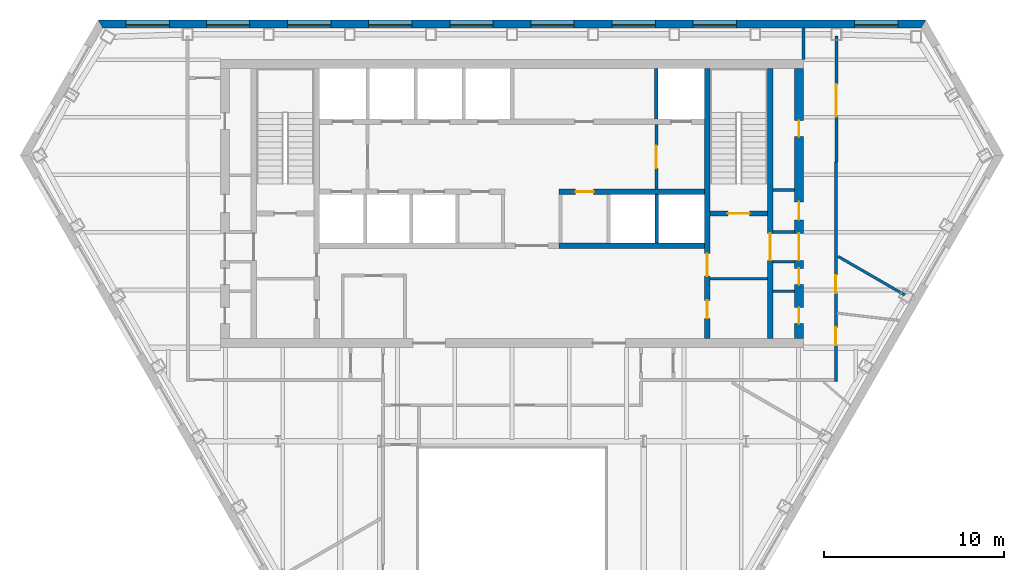
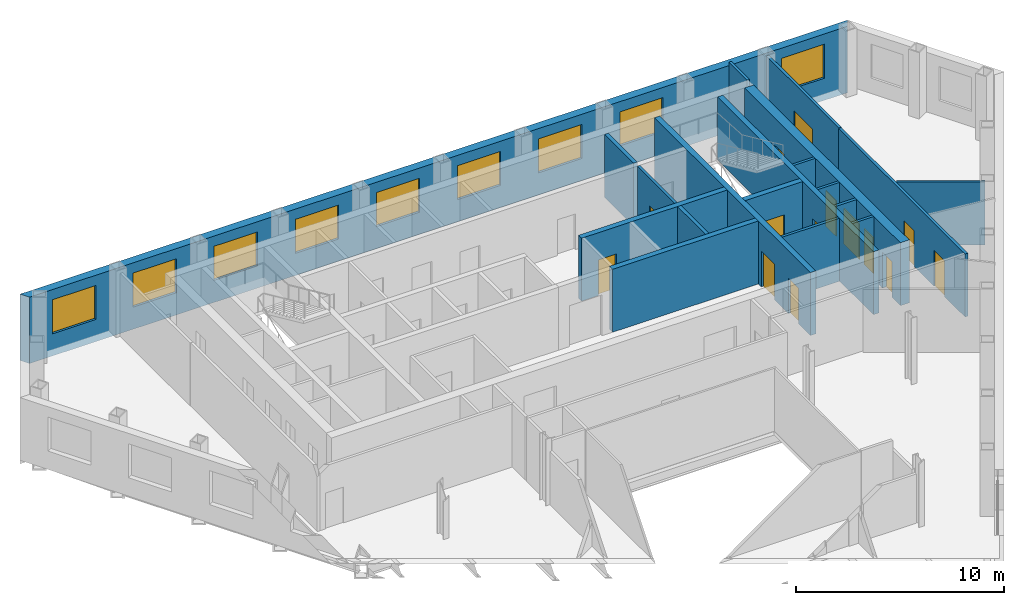
# One storey, part 7 of 11: 19 walls, 14 doors, 9 windows, 23 openings.
"""IFC4 building model written with IfcOpenShell, lengths in metres."""

from ifc_helpers import new_model, si_unit, direction, frame, frame_2d, origin, place, context, subcontext, project, spatial, polyline, rectangle, outline, extrude, material, layer, layer_set, type_object, element, fill, save


model = new_model("IFC4")

# Units and contexts
model_context = context("Model", 3, precision=1e-05, world=origin(), true_north=direction((0.0, 1.0)))
body_context = subcontext(model_context, "Body", "Model", "MODEL_VIEW")
ifc_project = project(units=[si_unit("LENGTHUNIT", "METRE"), si_unit("AREAUNIT", "SQUARE_METRE"), si_unit("VOLUMEUNIT", "CUBIC_METRE"), si_unit("PLANEANGLEUNIT", "RADIAN"), si_unit("MASSUNIT", "GRAM", prefix="KILO")], contexts=[model_context])

# Site, building, storey
site_placement = place(None, origin())
site = spatial("IfcSite", under=ifc_project, at=site_placement, CompositionType="ELEMENT")
building_placement = place(site_placement, origin())
building = spatial("IfcBuilding", under=site, at=building_placement, Name="Njiva Tower", CompositionType="ELEMENT")
storey_placement = place(building_placement, frame((0.0, 0.0, 151.5)))
storey = spatial("IfcBuildingStorey", under=building, at=storey_placement, Name="L32", CompositionType="ELEMENT", Elevation=151.5)

# Walls
ifc_material_1 = material(Name="Blockwork", Category="masonry")
ifc_layer_1 = layer(ifc_material_1, 0.15)
ifc_layer_set_1 = layer_set([ifc_layer_1], Name="Blockwork")
wall_type_1 = type_object("IfcWallType", Name="WT1 Compartment partition 150", PredefinedType="PARTITIONING", material=ifc_layer_set_1)
wall_1_placement = place(storey_placement, frame((11.0, 5.825, 0.0), z_axis=(0.0, 0.0, 1.0), x_axis=(1.0, 0.0, 0.0)))
element("IfcWall", 1, at=wall_1_placement, inside=storey, type_object=wall_type_1, Name="Room wall B", PredefinedType="PARTITIONING", context=body_context, shape_type="SweptSolid", body=[
    extrude(rectangle(XDim=3.2, YDim=0.15, at=frame_2d((1.6, 0.0))), origin(), (0.0, 0.0, 1.0), 3.7),
])
wall_2_placement = place(storey_placement, frame((14.5, 10.7557, 0.0), z_axis=(0.0, 0.0, 1.0), x_axis=(1.0, 0.0, 0.0)))
element("IfcWall", 2, at=wall_2_placement, inside=storey, type_object=wall_type_1, Name="Partition strip E10", PredefinedType="PARTITIONING", context=body_context, shape_type="SweptSolid", body=[
    extrude(rectangle(XDim=1.2, YDim=0.15, at=frame_2d((0.6, 0.0))), origin(), (0.0, 0.0, 1.0), 3.7),
])

# Wall, openings, doors
ifc_material_2 = material(Name="Concrete C40/50", Category="concrete")
ifc_layer_2 = layer(ifc_material_2, 0.3)
ifc_layer_set_2 = layer_set([ifc_layer_2], Name="Concrete C40/50")
wall_type_2 = type_object("IfcWallType", Name="WT10 Stair enclosure wall 300", PredefinedType="SHEAR", material=ifc_layer_set_2)
wall_3_placement = place(storey_placement, frame((10.85, 2.5, 0.0), z_axis=(0.0, 0.0, 1.0), x_axis=(0.0, 1.0, 0.0)))
wall_3 = element("IfcWall", 3, at=wall_3_placement, inside=storey, type_object=wall_type_2, Name="Stair wall east inner", PredefinedType="SHEAR", context=body_context, shape_type="SweptSolid", body=[
    extrude(rectangle(XDim=15.0, YDim=0.3, at=frame_2d((7.5, 0.0))), origin(), (0.0, 0.0, 1.0), 3.7),
])
opening_1_placement = place(wall_3_placement, frame((3.475, 0.0, 0.0)))
opening_1 = element("IfcOpeningElement", 4, at=opening_1_placement, cuts=wall_3, Name="Opening S11-D918", PredefinedType="OPENING", context=body_context, shape_type="SweptSolid", body=[
    extrude(rectangle(XDim=1.25, YDim=2.1, at=frame_2d((0.625, 1.05))), frame((0.0, 0.16, 0.0), z_axis=(0.0, -1.0, 0.0), x_axis=(1.0, 0.0, 0.0)), (0.0, 0.0, 1.0), 0.32),
])
opening_2_placement = place(wall_3_placement, frame((1.125, 0.0, 0.0)))
opening_2 = element("IfcOpeningElement", 5, at=opening_2_placement, cuts=wall_3, Name="Opening S11-D919", PredefinedType="OPENING", context=body_context, shape_type="SweptSolid", body=[
    extrude(rectangle(XDim=1.0, YDim=2.1, at=frame_2d((0.5, 1.05))), frame((0.0, 0.16, 0.0), z_axis=(0.0, -1.0, 0.0), x_axis=(1.0, 0.0, 0.0)), (0.0, 0.0, 1.0), 0.32),
])
ifc_material_3 = material(Name="Steel door, painted", Category="steel")
door_type_1 = type_object("IfcDoorType", Name="D5 Steel door 1000x2100", OperationType="SINGLE_SWING_LEFT", PredefinedType="DOOR", material=ifc_material_3)
door_1_placement = place(opening_2_placement, origin())
door_1 = element("IfcDoor", 6, at=door_1_placement, inside=storey, type_object=door_type_1, Name="Quiet room door", OperationType="SINGLE_SWING_LEFT", OverallHeight=2.1, OverallWidth=1.0, PredefinedType="DOOR", context=body_context, shape_type="SweptSolid", body=[
    extrude(rectangle(XDim=1.0, YDim=2.1, at=frame_2d((0.5, 1.05))), frame((0.0, 0.025, 0.0), z_axis=(0.0, -1.0, 0.0), x_axis=(1.0, 0.0, 0.0)), (0.0, 0.0, 1.0), 0.05),
])
fill(opening_2, door_1)
ifc_material_4 = material(Name="Glazed steel fire door", Category="steel")
door_type_2 = type_object("IfcDoorType", Name="D8 Vestibule corridor door 1250x2100 glazed", OperationType="SINGLE_SWING_LEFT", PredefinedType="DOOR", material=ifc_material_4)
door_2_placement = place(opening_1_placement, origin())
door_2 = element("IfcDoor", 7, at=door_2_placement, inside=storey, type_object=door_type_2, Name="Stair vestibule corridor door", OperationType="SINGLE_SWING_RIGHT", OverallHeight=2.1, OverallWidth=1.25, PredefinedType="DOOR", context=body_context, shape_type="SweptSolid", body=[
    extrude(rectangle(XDim=1.25, YDim=2.1, at=frame_2d((0.625, 1.05))), frame((0.0, 0.025, 0.0), z_axis=(0.0, -1.0, 0.0), x_axis=(1.0, 0.0, 0.0)), (0.0, 0.0, 1.0), 0.05),
])
fill(opening_1, door_2)

# Wall, opening, door
wall_4_placement = place(storey_placement, frame((14.35, 2.5, 0.0), z_axis=(0.0, 0.0, 1.0), x_axis=(0.0, 1.0, 0.0)))
wall_4 = element("IfcWall", 8, at=wall_4_placement, inside=storey, type_object=wall_type_2, Name="Stair wall east outer", PredefinedType="SHEAR", context=body_context, shape_type="SweptSolid", body=[
    extrude(rectangle(XDim=15.0, YDim=0.3, at=frame_2d((7.5, 0.0))), origin(), (0.0, 0.0, 1.0), 3.7),
])
opening_3_placement = place(wall_4_placement, frame((4.35, 0.0, 0.0)))
opening_3 = element("IfcOpeningElement", 9, at=opening_3_placement, cuts=wall_4, Name="Opening S11-D926", PredefinedType="OPENING", context=body_context, shape_type="SweptSolid", body=[
    extrude(rectangle(XDim=1.5, YDim=2.1, at=frame_2d((0.75, 1.05))), frame((0.0, 0.16, 0.0), z_axis=(0.0, -1.0, 0.0), x_axis=(1.0, 0.0, 0.0)), (0.0, 0.0, 1.0), 0.32),
])
door_type_3 = type_object("IfcDoorType", Name="D10 Exit door double 1500x2100 glazed", OperationType="DOUBLE_DOOR_SINGLE_SWING", PredefinedType="DOOR", material=ifc_material_4)
door_3_placement = place(opening_3_placement, origin())
door_3 = element("IfcDoor", 10, at=door_3_placement, inside=storey, type_object=door_type_3, Name="Stair B passage door", OperationType="DOUBLE_DOOR_SINGLE_SWING", OverallHeight=2.1, OverallWidth=1.5, PredefinedType="DOOR", context=body_context, shape_type="SweptSolid", body=[
    extrude(rectangle(XDim=1.5, YDim=2.1, at=frame_2d((0.75, 1.05))), frame((0.0, 0.025, 0.0), z_axis=(0.0, -1.0, 0.0), x_axis=(1.0, 0.0, 0.0)), (0.0, 0.0, 1.0), 0.05),
])
fill(opening_3, door_3)

wall_5_placement = place(storey_placement, frame((11.0, 9.45, 0.0), z_axis=(0.0, 0.0, 1.0), x_axis=(1.0, 0.0, 0.0)))
wall_5 = element("IfcWall", 11, at=wall_5_placement, inside=storey, type_object=wall_type_2, Name="Stair B south wall", PredefinedType="SHEAR", context=body_context, shape_type="SweptSolid", body=[
    extrude(rectangle(XDim=3.2, YDim=0.3, at=frame_2d((1.6, 0.0))), origin(), (0.0, 0.0, 1.0), 3.7),
])
opening_4_placement = place(wall_5_placement, frame((1.0, 0.0, 0.0)))
opening_4 = element("IfcOpeningElement", 12, at=opening_4_placement, cuts=wall_5, Name="Opening S11-D917", PredefinedType="OPENING", context=body_context, shape_type="SweptSolid", body=[
    extrude(rectangle(XDim=1.2, YDim=2.1, at=frame_2d((0.6, 1.05))), frame((0.0, 0.16, 0.0), z_axis=(0.0, -1.0, 0.0), x_axis=(1.0, 0.0, 0.0)), (0.0, 0.0, 1.0), 0.32),
])
door_type_4 = type_object("IfcDoorType", Name="D7 Stair vestibule door 1200x2100 glazed", OperationType="SINGLE_SWING_LEFT", PredefinedType="DOOR", material=ifc_material_4)
door_4_placement = place(opening_4_placement, origin())
door_4 = element("IfcDoor", 13, at=door_4_placement, inside=storey, type_object=door_type_4, Name="Stair B door", OperationType="SINGLE_SWING_LEFT", OverallHeight=2.1, OverallWidth=1.2, PredefinedType="DOOR", context=body_context, shape_type="SweptSolid", body=[
    extrude(rectangle(XDim=1.2, YDim=2.1, at=frame_2d((0.6, 1.05))), frame((0.0, 0.025, 0.0), z_axis=(0.0, -1.0, 0.0), x_axis=(1.0, 0.0, 0.0)), (0.0, 0.0, 1.0), 0.05),
])
fill(opening_4, door_4)

# Wall, openings, doors
ifc_material_5 = material(Name="Concrete C60/75", Category="concrete")
ifc_layer_3 = layer(ifc_material_5, 0.5)
ifc_layer_set_3 = layer_set([ifc_layer_3], Name="Concrete C60/75")
wall_type_3 = type_object("IfcWallType", Name="WT13 Core wall 500", PredefinedType="SHEAR", material=ifc_layer_set_3)
wall_6_placement = place(storey_placement, frame((15.95, 2.5, 0.0), z_axis=(0.0, 0.0, 1.0), x_axis=(0.0, 1.0, 0.0)))
wall_6 = element("IfcWall", 14, at=wall_6_placement, inside=storey, type_object=wall_type_3, Name="Core wall east", PredefinedType="SHEAR", context=body_context, shape_type="SweptSolid", body=[
    extrude(rectangle(XDim=15.0, YDim=0.5, at=frame_2d((7.5, 0.0))), origin(), (0.0, 0.0, 1.0), 3.7),
])
opening_5_placement = place(wall_6_placement, frame((4.35, 0.0, 0.0)))
opening_5 = element("IfcOpeningElement", 15, at=opening_5_placement, cuts=wall_6, Name="Opening S11-D927", PredefinedType="OPENING", context=body_context, shape_type="SweptSolid", body=[
    extrude(rectangle(XDim=1.5, YDim=2.1, at=frame_2d((0.75, 1.05))), frame((0.0, 0.26, 0.0), z_axis=(0.0, -1.0, 0.0), x_axis=(1.0, 0.0, 0.0)), (0.0, 0.0, 1.0), 0.52),
])
opening_6_placement = place(wall_6_placement, frame((0.825, 0.0, 0.0)))
opening_6 = element("IfcOpeningElement", 16, at=opening_6_placement, cuts=wall_6, Name="Opening S11-D928", PredefinedType="OPENING", context=body_context, shape_type="SweptSolid", body=[
    extrude(rectangle(XDim=0.9, YDim=2.1, at=frame_2d((0.45, 1.05))), frame((0.0, 0.26, 0.0), z_axis=(0.0, -1.0, 0.0), x_axis=(1.0, 0.0, 0.0)), (0.0, 0.0, 1.0), 0.52),
])
opening_7_placement = place(wall_6_placement, frame((3.0, 0.0, 0.0)))
opening_7 = element("IfcOpeningElement", 17, at=opening_7_placement, cuts=wall_6, Name="Opening S11-D929", PredefinedType="OPENING", context=body_context, shape_type="SweptSolid", body=[
    extrude(rectangle(XDim=0.9, YDim=2.1, at=frame_2d((0.45, 1.05))), frame((0.0, 0.26, 0.0), z_axis=(0.0, -1.0, 0.0), x_axis=(1.0, 0.0, 0.0)), (0.0, 0.0, 1.0), 0.52),
])
opening_8_placement = place(wall_6_placement, frame((6.5904, 0.0, 0.0)))
opening_8 = element("IfcOpeningElement", 18, at=opening_8_placement, cuts=wall_6, Name="Opening S11-D930", PredefinedType="OPENING", context=body_context, shape_type="SweptSolid", body=[
    extrude(rectangle(XDim=1.0, YDim=2.1, at=frame_2d((0.5, 1.05))), frame((0.0, 0.26, 0.0), z_axis=(0.0, -1.0, 0.0), x_axis=(1.0, 0.0, 0.0)), (0.0, 0.0, 1.0), 0.52),
])
opening_9_placement = place(wall_6_placement, frame((11.2154, 0.0, 0.0)))
opening_9 = element("IfcOpeningElement", 19, at=opening_9_placement, cuts=wall_6, Name="Opening S11-D931", PredefinedType="OPENING", context=body_context, shape_type="SweptSolid", body=[
    extrude(rectangle(XDim=0.9, YDim=2.1, at=frame_2d((0.45, 1.05))), frame((0.0, 0.26, 0.0), z_axis=(0.0, -1.0, 0.0), x_axis=(1.0, 0.0, 0.0)), (0.0, 0.0, 1.0), 0.52),
])
door_5_placement = place(opening_5_placement, origin())
door_5 = element("IfcDoor", 20, at=door_5_placement, inside=storey, type_object=door_type_3, Name="Stair B corridor door", OperationType="DOUBLE_DOOR_SINGLE_SWING", OverallHeight=2.1, OverallWidth=1.5, PredefinedType="DOOR", context=body_context, shape_type="SweptSolid", body=[
    extrude(rectangle(XDim=1.5, YDim=2.1, at=frame_2d((0.75, 1.05))), frame((0.0, 0.025, 0.0), z_axis=(0.0, -1.0, 0.0), x_axis=(1.0, 0.0, 0.0)), (0.0, 0.0, 1.0), 0.05),
])
fill(opening_5, door_5)
door_type_5 = type_object("IfcDoorType", Name="D4 Riser door 900x2100", OperationType="SINGLE_SWING_LEFT", PredefinedType="DOOR", material=ifc_material_3)
door_6_placement = place(opening_7_placement, origin())
door_6 = element("IfcDoor", 21, at=door_6_placement, inside=storey, type_object=door_type_5, Name="Cable riser door", OperationType="SINGLE_SWING_LEFT", OverallHeight=2.1, OverallWidth=0.9, PredefinedType="DOOR", context=body_context, shape_type="SweptSolid", body=[
    extrude(rectangle(XDim=0.9, YDim=2.1, at=frame_2d((0.45, 1.05))), frame((0.0, 0.025, 0.0), z_axis=(0.0, -1.0, 0.0), x_axis=(1.0, 0.0, 0.0)), (0.0, 0.0, 1.0), 0.05),
])
fill(opening_7, door_6)
door_7_placement = place(opening_8_placement, origin())
door_7 = element("IfcDoor", 22, at=door_7_placement, inside=storey, type_object=door_type_1, Name="Telecoms room door", OperationType="SINGLE_SWING_LEFT", OverallHeight=2.1, OverallWidth=1.0, PredefinedType="DOOR", context=body_context, shape_type="SweptSolid", body=[
    extrude(rectangle(XDim=1.0, YDim=2.1, at=frame_2d((0.5, 1.05))), frame((0.0, 0.025, 0.0), z_axis=(0.0, -1.0, 0.0), x_axis=(1.0, 0.0, 0.0)), (0.0, 0.0, 1.0), 0.05),
])
fill(opening_8, door_7)
ifc_material_6 = material(Name="Steel fire door, painted", Category="steel")
door_type_6 = type_object("IfcDoorType", Name="D6 Fire-rated door 900x2100", OperationType="SINGLE_SWING_LEFT", PredefinedType="DOOR", material=ifc_material_6)
door_8_placement = place(opening_6_placement, origin())
door_8 = element("IfcDoor", 23, at=door_8_placement, inside=storey, type_object=door_type_6, Name="Cable store door", OperationType="SINGLE_SWING_LEFT", OverallHeight=2.1, OverallWidth=0.9, PredefinedType="DOOR", context=body_context, shape_type="SweptSolid", body=[
    extrude(rectangle(XDim=0.9, YDim=2.1, at=frame_2d((0.45, 1.05))), frame((0.0, 0.025, 0.0), z_axis=(0.0, -1.0, 0.0), x_axis=(1.0, 0.0, 0.0)), (0.0, 0.0, 1.0), 0.05),
])
fill(opening_6, door_8)
door_9_placement = place(opening_9_placement, origin())
door_9 = element("IfcDoor", 24, at=door_9_placement, inside=storey, type_object=door_type_6, Name="Cable store door", OperationType="SINGLE_SWING_RIGHT", OverallHeight=2.1, OverallWidth=0.9, PredefinedType="DOOR", context=body_context, shape_type="SweptSolid", body=[
    extrude(rectangle(XDim=0.9, YDim=2.1, at=frame_2d((0.45, 1.05))), frame((0.0, 0.025, 0.0), z_axis=(0.0, -1.0, 0.0), x_axis=(1.0, 0.0, 0.0)), (0.0, 0.0, 1.0), 0.05),
])
fill(opening_9, door_9)

# Wall, opening, door
ifc_layer_4 = layer(ifc_material_1, 0.15)
ifc_layer_set_4 = layer_set([ifc_layer_4], Name="Blockwork")
wall_type_4 = type_object("IfcWallType", Name="WT2 Lobby partition 150", PredefinedType="PARTITIONING", material=ifc_layer_set_4)
wall_7_placement = place(storey_placement, frame((8.025, 10.8, 0.0), z_axis=(0.0, 0.0, 1.0), x_axis=(0.0, 1.0, 0.0)))
wall_7 = element("IfcWall", 25, at=wall_7_placement, inside=storey, type_object=wall_type_4, Name="Firefighting lobby wall B", PredefinedType="PARTITIONING", context=body_context, shape_type="SweptSolid", body=[
    extrude(rectangle(XDim=3.6, YDim=0.15, at=frame_2d((1.8, 0.0))), origin(), (0.0, 0.0, 1.0), 3.7),
])
opening_10_placement = place(wall_7_placement, frame((1.175, 0.0, 0.0)))
opening_10 = element("IfcOpeningElement", 26, at=opening_10_placement, cuts=wall_7, Name="Opening S11-D916", PredefinedType="OPENING", context=body_context, shape_type="SweptSolid", body=[
    extrude(rectangle(XDim=1.25, YDim=2.1, at=frame_2d((0.625, 1.05))), frame((0.0, 0.085, 0.0), z_axis=(0.0, -1.0, 0.0), x_axis=(1.0, 0.0, 0.0)), (0.0, 0.0, 1.0), 0.17),
])
door_10_placement = place(opening_10_placement, origin())
door_10 = element("IfcDoor", 27, at=door_10_placement, inside=storey, type_object=door_type_2, Name="Stair vestibule corridor door", OperationType="SINGLE_SWING_LEFT", OverallHeight=2.1, OverallWidth=1.25, PredefinedType="DOOR", context=body_context, shape_type="SweptSolid", body=[
    extrude(rectangle(XDim=1.25, YDim=2.1, at=frame_2d((0.625, 1.05))), frame((0.0, 0.025, 0.0), z_axis=(0.0, -1.0, 0.0), x_axis=(1.0, 0.0, 0.0)), (0.0, 0.0, 1.0), 0.05),
])
fill(opening_10, door_10)

# Wall
ifc_material_7 = material(Name="Gypsum board on steel studs", Category="gypsum")
ifc_layer_5 = layer(ifc_material_7, 0.15)
ifc_layer_set_5 = layer_set([ifc_layer_5], Name="Gypsum board on steel studs")
wall_type_5 = type_object("IfcWallType", Name="WT21 Compartment wall 150", PredefinedType="PARTITIONING", material=ifc_layer_set_5)
wall_8_placement = place(storey_placement, frame((16.2, 18.0, 0.0), z_axis=(0.0, 0.0, 1.0), x_axis=(0.0, 1.0, 0.0)))
element("IfcWall", 28, at=wall_8_placement, inside=storey, type_object=wall_type_5, Name="Partition S11-P023", PredefinedType="PARTITIONING", context=body_context, shape_type="SweptSolid", body=[
    extrude(rectangle(XDim=1.75, YDim=0.15, at=frame_2d((0.875, 0.0))), origin(), (0.0, 0.0, 1.0), 3.7),
])

# Wall, openings, doors
wall_9_placement = place(storey_placement, frame((18.0, 0.125, 0.0), z_axis=(0.0, 0.0, 1.0), x_axis=(0.0, 1.0, 0.0)))
wall_9 = element("IfcWall", 29, at=wall_9_placement, inside=storey, type_object=wall_type_5, Name="Partition S11-P025", PredefinedType="PARTITIONING", context=body_context, shape_type="SweptSolid", body=[
    extrude(rectangle(XDim=12.179, YDim=0.15, at=frame_2d((6.0895, 0.0))), origin(), (0.0, 0.0, 1.0), 3.7),
])
opening_11_placement = place(wall_9_placement, frame((1.992, 0.0, 0.0)))
opening_11 = element("IfcOpeningElement", 30, at=opening_11_placement, cuts=wall_9, Name="Opening S11-D012", PredefinedType="OPENING", context=body_context, shape_type="SweptSolid", body=[
    extrude(rectangle(XDim=1.0, YDim=2.1, at=frame_2d((0.5, 1.05))), frame((0.0, 0.085, 0.0), z_axis=(0.0, -1.0, 0.0), x_axis=(1.0, 0.0, 0.0)), (0.0, 0.0, 1.0), 0.17),
])
opening_12_placement = place(wall_9_placement, frame((4.902, 0.0, 0.0)))
opening_12 = element("IfcOpeningElement", 31, at=opening_12_placement, cuts=wall_9, Name="Opening S11-D013", PredefinedType="OPENING", context=body_context, shape_type="SweptSolid", body=[
    extrude(rectangle(XDim=1.0, YDim=2.1, at=frame_2d((0.5, 1.05))), frame((0.0, 0.085, 0.0), z_axis=(0.0, -1.0, 0.0), x_axis=(1.0, 0.0, 0.0)), (0.0, 0.0, 1.0), 0.17),
])
ifc_material_8 = material(Name="Steel fire door set", Category="steel")
door_type_7 = type_object("IfcDoorType", Name="D37 Fire door 1000x2100", OperationType="SINGLE_SWING_LEFT", PredefinedType="DOOR", material=ifc_material_8)
door_11_placement = place(opening_11_placement, origin())
door_11 = element("IfcDoor", 32, at=door_11_placement, inside=storey, type_object=door_type_7, Name="Door S11-D012", OperationType="SINGLE_SWING_LEFT", OverallHeight=2.1, OverallWidth=1.0, PredefinedType="DOOR", context=body_context, shape_type="SweptSolid", body=[
    extrude(rectangle(XDim=1.0, YDim=2.1, at=frame_2d((0.5, 1.05))), frame((0.0, 0.025, 0.0), z_axis=(0.0, -1.0, 0.0), x_axis=(1.0, 0.0, 0.0)), (0.0, 0.0, 1.0), 0.05),
])
fill(opening_11, door_11)
door_12_placement = place(opening_12_placement, origin())
door_12 = element("IfcDoor", 33, at=door_12_placement, inside=storey, type_object=door_type_7, Name="Door S11-D013", OperationType="SINGLE_SWING_LEFT", OverallHeight=2.1, OverallWidth=1.0, PredefinedType="DOOR", context=body_context, shape_type="SweptSolid", body=[
    extrude(rectangle(XDim=1.0, YDim=2.1, at=frame_2d((0.5, 1.05))), frame((0.0, 0.025, 0.0), z_axis=(0.0, -1.0, 0.0), x_axis=(1.0, 0.0, 0.0)), (0.0, 0.0, 1.0), 0.05),
])
fill(opening_12, door_12)

# Wall, opening, door
wall_10_placement = place(storey_placement, frame((18.027, 12.321, 0.0), z_axis=(0.0, 0.0, 1.0), x_axis=(0.0, 1.0, 0.0)))
wall_10 = element("IfcWall", 34, at=wall_10_placement, inside=storey, type_object=wall_type_5, Name="Partition S11-P026", PredefinedType="PARTITIONING", context=body_context, shape_type="SweptSolid", body=[
    extrude(rectangle(XDim=6.979, YDim=0.15, at=frame_2d((3.4895, 0.0))), origin(), (0.0, 0.0, 1.0), 3.7),
])
opening_13_placement = place(wall_10_placement, frame((2.514, 0.0, 0.0)))
opening_13 = element("IfcOpeningElement", 35, at=opening_13_placement, cuts=wall_10, Name="Opening S11-D014", PredefinedType="OPENING", context=body_context, shape_type="SweptSolid", body=[
    extrude(rectangle(XDim=1.8, YDim=2.1, at=frame_2d((0.9, 1.05))), frame((0.0, 0.085, 0.0), z_axis=(0.0, -1.0, 0.0), x_axis=(1.0, 0.0, 0.0)), (0.0, 0.0, 1.0), 0.17),
])
door_type_8 = type_object("IfcDoorType", Name="D38 Fire door 1800x2100", OperationType="DOUBLE_DOOR_SINGLE_SWING", PredefinedType="DOOR", material=ifc_material_8)
door_13_placement = place(opening_13_placement, origin())
door_13 = element("IfcDoor", 36, at=door_13_placement, inside=storey, type_object=door_type_8, Name="Door S11-D014", OperationType="DOUBLE_DOOR_SINGLE_SWING", OverallHeight=2.1, OverallWidth=1.8, PredefinedType="DOOR", context=body_context, shape_type="SweptSolid", body=[
    extrude(rectangle(XDim=1.8, YDim=2.1, at=frame_2d((0.9, 1.05))), frame((0.0, 0.025, 0.0), z_axis=(0.0, -1.0, 0.0), x_axis=(1.0, 0.0, 0.0)), (0.0, 0.0, 1.0), 0.05),
])
fill(opening_13, door_13)

# Walls
wall_11_placement = place(storey_placement, frame((18.113, 7.068, 0.0), z_axis=(0.0, 0.0, 1.0), x_axis=(0.865932559475, -0.500160776593, 0.0)))
element("IfcWall", 37, at=wall_11_placement, inside=storey, type_object=wall_type_5, Name="Partition S11-P028", PredefinedType="PARTITIONING", context=body_context, shape_type="SweptSolid", body=[
    extrude(rectangle(XDim=4.2786, YDim=0.15, at=frame_2d((2.1393, 0.0))), origin(), (0.0, 0.0, 1.0), 3.7),
])
ifc_layer_6 = layer(ifc_material_1, 0.15)
ifc_layer_set_6 = layer_set([ifc_layer_6], Name="Blockwork")
wall_type_6 = type_object("IfcWallType", Name="WT3 Riser partition 150", PredefinedType="PARTITIONING", material=ifc_layer_set_6)
wall_12_placement = place(storey_placement, frame((14.5, 5.125, 0.0), z_axis=(0.0, 0.0, 1.0), x_axis=(1.0, 0.0, 0.0)))
element("IfcWall", 38, at=wall_12_placement, inside=storey, type_object=wall_type_6, Name="Partition strip E00", PredefinedType="PARTITIONING", context=body_context, shape_type="SweptSolid", body=[
    extrude(rectangle(XDim=1.2, YDim=0.15, at=frame_2d((0.6, 0.0))), origin(), (0.0, 0.0, 1.0), 3.7),
])
ifc_layer_7 = layer(ifc_material_1, 0.15)
ifc_layer_set_7 = layer_set([ifc_layer_7], Name="Blockwork")
wall_type_7 = type_object("IfcWallType", Name="WT4 Stair partition 150", PredefinedType="PARTITIONING", material=ifc_layer_set_7)
for number, where, z_axis, x_axis, name in (
    (39, (14.5, 6.775, 0.0), (0.0, 0.0, 1.0), (1.0, 0.0, 0.0), "Stair B exit passage wall south"),
    (40, (14.5, 8.425, 0.0), (0.0, 0.0, 1.0), (1.0, 0.0, 0.0), "Stair B exit passage wall north"),
):
    element("IfcWall", number, at=place(storey_placement, frame(where, z_axis=z_axis, x_axis=x_axis)), inside=storey, type_object=wall_type_7, Name=name, PredefinedType="PARTITIONING", context=body_context, shape_type="SweptSolid", body=[
        extrude(rectangle(XDim=1.2, YDim=0.15, at=frame_2d((0.6, 0.0))), origin(), (0.0, 0.0, 1.0), 3.7),
    ])
ifc_layer_8 = layer(ifc_material_2, 0.2)
ifc_layer_set_8 = layer_set([ifc_layer_8], Name="Concrete C40/50")
wall_type_8 = type_object("IfcWallType", Name="WT6 Lift shaft wall 200", PredefinedType="SHEAR", material=ifc_layer_set_8)
wall_13_placement = place(storey_placement, frame((8.025, 14.7, 0.0), z_axis=(0.0, 0.0, 1.0), x_axis=(0.0, 1.0, 0.0)))
element("IfcWall", 41, at=wall_13_placement, inside=storey, type_object=wall_type_8, Name="Shaft wall CN7", PredefinedType="SHEAR", context=body_context, shape_type="SweptSolid", body=[
    extrude(rectangle(XDim=2.8, YDim=0.2, at=frame_2d((1.4, 0.0))), origin(), (0.0, 0.0, 1.0), 3.7),
])
wall_14_placement = place(storey_placement, frame((8.0333, 7.8, 0.0), z_axis=(0.0, 0.0, 1.0), x_axis=(0.0, 1.0, 0.0)))
element("IfcWall", 42, at=wall_14_placement, inside=storey, type_object=wall_type_8, Name="Shaft wall CS7", PredefinedType="SHEAR", context=body_context, shape_type="SweptSolid", body=[
    extrude(rectangle(XDim=2.7, YDim=0.2, at=frame_2d((1.35, 0.0))), origin(), (0.0, 0.0, 1.0), 3.7),
])

# Wall, opening, door
ifc_layer_9 = layer(ifc_material_2, 0.3)
ifc_layer_set_9 = layer_set([ifc_layer_9], Name="Concrete C40/50")
wall_type_9 = type_object("IfcWallType", Name="WT7 Lift shaft wall 300", PredefinedType="SHEAR", material=ifc_layer_set_9)
wall_15_placement = place(storey_placement, frame((2.6, 10.65, 0.0), z_axis=(0.0, 0.0, 1.0), x_axis=(1.0, 0.0, 0.0)))
wall_15 = element("IfcWall", 43, at=wall_15_placement, inside=storey, type_object=wall_type_9, Name="Shaft wall south row lobby side E", PredefinedType="SHEAR", context=body_context, shape_type="SweptSolid", body=[
    extrude(rectangle(XDim=8.1, YDim=0.3, at=frame_2d((4.05, 0.0))), origin(), (0.0, 0.0, 1.0), 3.7),
])
opening_14_placement = place(wall_15_placement, frame((0.9334, 0.0, 0.0)))
opening_14 = element("IfcOpeningElement", 44, at=opening_14_placement, cuts=wall_15, Name="Opening S11-D911", PredefinedType="OPENING", context=body_context, shape_type="SweptSolid", body=[
    extrude(rectangle(XDim=1.0, YDim=2.1, at=frame_2d((0.5, 1.05))), frame((0.0, 0.16, 0.0), z_axis=(0.0, -1.0, 0.0), x_axis=(1.0, 0.0, 0.0)), (0.0, 0.0, 1.0), 0.32),
])
door_14_placement = place(opening_14_placement, origin())
door_14 = element("IfcDoor", 45, at=door_14_placement, inside=storey, type_object=door_type_1, Name="Breakout room door", OperationType="SINGLE_SWING_LEFT", OverallHeight=2.1, OverallWidth=1.0, PredefinedType="DOOR", context=body_context, shape_type="SweptSolid", body=[
    extrude(rectangle(XDim=1.0, YDim=2.1, at=frame_2d((0.5, 1.05))), frame((0.0, 0.025, 0.0), z_axis=(0.0, -1.0, 0.0), x_axis=(1.0, 0.0, 0.0)), (0.0, 0.0, 1.0), 0.05),
])
fill(opening_14, door_14)

# Wall
wall_16_placement = place(storey_placement, frame((2.6, 7.65, 0.0), z_axis=(0.0, 0.0, 1.0), x_axis=(1.0, 0.0, 0.0)))
element("IfcWall", 46, at=wall_16_placement, inside=storey, type_object=wall_type_9, Name="Shaft wall south row back E", PredefinedType="SHEAR", context=body_context, shape_type="SweptSolid", body=[
    extrude(rectangle(XDim=8.1, YDim=0.3, at=frame_2d((4.05, 0.0))), origin(), (0.0, 0.0, 1.0), 3.7),
])

# Wall, openings, windows
ifc_material_9 = material(Name="Brick masonry", Category="masonry")
ifc_layer_10 = layer(ifc_material_9, 0.45)
ifc_layer_set_10 = layer_set([ifc_layer_10], Name="Brick masonry")
wall_type_10 = type_object("IfcWallType", Name="WT90 Brick pier and spandrel wall 450", PredefinedType="SOLIDWALL", material=ifc_layer_set_10)
wall_17_placement = place(storey_placement, frame((22.8651, 19.975, -0.4), z_axis=(0.0, 0.0, 1.0), x_axis=(-1.0, 0.0, 0.0)))
wall_17 = element("IfcWall", 47, at=wall_17_placement, inside=storey, type_object=wall_type_10, Name="Facade wall N", PredefinedType="SOLIDWALL", context=body_context, shape_type="SweptSolid", body=[
    extrude(outline(polyline([(-0.1299, -0.225), (45.8601, -0.225), (45.6003, 0.225), (0.1299, 0.225), (-0.1299, -0.225)])), origin(), (0.0, 0.0, 1.0), 3.9),
])
opening_15_placement = place(wall_17_placement, frame((1.4237, 0.0, 1.3)))
opening_15 = element("IfcOpeningElement", 48, at=opening_15_placement, cuts=wall_17, Name="Opening S11-W01", PredefinedType="OPENING", context=body_context, shape_type="SweptSolid", body=[
    extrude(rectangle(XDim=2.4, YDim=2.0, at=frame_2d((1.2, 1.0))), frame((0.0, 0.235, 0.0), z_axis=(0.0, -1.0, 0.0), x_axis=(1.0, 0.0, 0.0)), (0.0, 0.0, 1.0), 0.47),
])
opening_16_placement = place(wall_17_placement, frame((10.3985, 0.0, 1.3)))
opening_16 = element("IfcOpeningElement", 49, at=opening_16_placement, cuts=wall_17, Name="Opening S11-W02", PredefinedType="OPENING", context=body_context, shape_type="SweptSolid", body=[
    extrude(rectangle(XDim=2.4, YDim=2.0, at=frame_2d((1.2, 1.0))), frame((0.0, 0.235, 0.0), z_axis=(0.0, -1.0, 0.0), x_axis=(1.0, 0.0, 0.0)), (0.0, 0.0, 1.0), 0.47),
])
opening_17_placement = place(wall_17_placement, frame((14.9052, 0.0, 1.3)))
opening_17 = element("IfcOpeningElement", 50, at=opening_17_placement, cuts=wall_17, Name="Opening S11-W03", PredefinedType="OPENING", context=body_context, shape_type="SweptSolid", body=[
    extrude(rectangle(XDim=2.4, YDim=2.0, at=frame_2d((1.2, 1.0))), frame((0.0, 0.235, 0.0), z_axis=(0.0, -1.0, 0.0), x_axis=(1.0, 0.0, 0.0)), (0.0, 0.0, 1.0), 0.47),
])
opening_18_placement = place(wall_17_placement, frame((19.4118, 0.0, 1.3)))
opening_18 = element("IfcOpeningElement", 51, at=opening_18_placement, cuts=wall_17, Name="Opening S11-W04", PredefinedType="OPENING", context=body_context, shape_type="SweptSolid", body=[
    extrude(rectangle(XDim=2.4, YDim=2.0, at=frame_2d((1.2, 1.0))), frame((0.0, 0.235, 0.0), z_axis=(0.0, -1.0, 0.0), x_axis=(1.0, 0.0, 0.0)), (0.0, 0.0, 1.0), 0.47),
])
opening_19_placement = place(wall_17_placement, frame((23.9184, 0.0, 1.3)))
opening_19 = element("IfcOpeningElement", 52, at=opening_19_placement, cuts=wall_17, Name="Opening S11-W05", PredefinedType="OPENING", context=body_context, shape_type="SweptSolid", body=[
    extrude(rectangle(XDim=2.4, YDim=2.0, at=frame_2d((1.2, 1.0))), frame((0.0, 0.235, 0.0), z_axis=(0.0, -1.0, 0.0), x_axis=(1.0, 0.0, 0.0)), (0.0, 0.0, 1.0), 0.47),
])
opening_20_placement = place(wall_17_placement, frame((28.425, 0.0, 1.3)))
opening_20 = element("IfcOpeningElement", 53, at=opening_20_placement, cuts=wall_17, Name="Opening S11-W06", PredefinedType="OPENING", context=body_context, shape_type="SweptSolid", body=[
    extrude(rectangle(XDim=2.4, YDim=2.0, at=frame_2d((1.2, 1.0))), frame((0.0, 0.235, 0.0), z_axis=(0.0, -1.0, 0.0), x_axis=(1.0, 0.0, 0.0)), (0.0, 0.0, 1.0), 0.47),
])
opening_21_placement = place(wall_17_placement, frame((32.9316, 0.0, 1.3)))
opening_21 = element("IfcOpeningElement", 54, at=opening_21_placement, cuts=wall_17, Name="Opening S11-W07", PredefinedType="OPENING", context=body_context, shape_type="SweptSolid", body=[
    extrude(rectangle(XDim=2.4, YDim=2.0, at=frame_2d((1.2, 1.0))), frame((0.0, 0.235, 0.0), z_axis=(0.0, -1.0, 0.0), x_axis=(1.0, 0.0, 0.0)), (0.0, 0.0, 1.0), 0.47),
])
opening_22_placement = place(wall_17_placement, frame((37.4383, 0.0, 1.3)))
opening_22 = element("IfcOpeningElement", 55, at=opening_22_placement, cuts=wall_17, Name="Opening S11-W08", PredefinedType="OPENING", context=body_context, shape_type="SweptSolid", body=[
    extrude(rectangle(XDim=2.4, YDim=2.0, at=frame_2d((1.2, 1.0))), frame((0.0, 0.235, 0.0), z_axis=(0.0, -1.0, 0.0), x_axis=(1.0, 0.0, 0.0)), (0.0, 0.0, 1.0), 0.47),
])
opening_23_placement = place(wall_17_placement, frame((41.9065, 0.0, 1.3)))
opening_23 = element("IfcOpeningElement", 56, at=opening_23_placement, cuts=wall_17, Name="Opening S11-W09", PredefinedType="OPENING", context=body_context, shape_type="SweptSolid", body=[
    extrude(rectangle(XDim=2.4, YDim=2.0, at=frame_2d((1.2, 1.0))), frame((0.0, 0.235, 0.0), z_axis=(0.0, -1.0, 0.0), x_axis=(1.0, 0.0, 0.0)), (0.0, 0.0, 1.0), 0.47),
])
ifc_material_10 = material(Name="Clear glazing in aluminium frame", Category="aluminium")
window_type = type_object("IfcWindowType", Name="W90 Deep-set window 2400x2000", PartitioningType="SINGLE_PANEL", PredefinedType="WINDOW", material=ifc_material_10)
window_1_placement = place(opening_15_placement, origin())
window_1 = element("IfcWindow", 57, at=window_1_placement, inside=storey, type_object=window_type, Name="Window", OverallHeight=2.0, OverallWidth=2.4, PartitioningType="SINGLE_PANEL", PredefinedType="WINDOW", context=body_context, shape_type="SweptSolid", body=[
    extrude(rectangle(XDim=2.4, YDim=2.0, at=frame_2d((1.2, 1.0))), frame((0.0, 0.105, 0.0), z_axis=(0.0, -1.0, 0.0), x_axis=(1.0, 0.0, 0.0)), (0.0, 0.0, 1.0), 0.06),
])
fill(opening_15, window_1)
window_2_placement = place(opening_16_placement, origin())
window_2 = element("IfcWindow", 58, at=window_2_placement, inside=storey, type_object=window_type, Name="Window", OverallHeight=2.0, OverallWidth=2.4, PartitioningType="SINGLE_PANEL", PredefinedType="WINDOW", context=body_context, shape_type="SweptSolid", body=[
    extrude(rectangle(XDim=2.4, YDim=2.0, at=frame_2d((1.2, 1.0))), frame((0.0, 0.105, 0.0), z_axis=(0.0, -1.0, 0.0), x_axis=(1.0, 0.0, 0.0)), (0.0, 0.0, 1.0), 0.06),
])
fill(opening_16, window_2)
window_3_placement = place(opening_17_placement, origin())
window_3 = element("IfcWindow", 59, at=window_3_placement, inside=storey, type_object=window_type, Name="Window", OverallHeight=2.0, OverallWidth=2.4, PartitioningType="SINGLE_PANEL", PredefinedType="WINDOW", context=body_context, shape_type="SweptSolid", body=[
    extrude(rectangle(XDim=2.4, YDim=2.0, at=frame_2d((1.2, 1.0))), frame((0.0, 0.105, 0.0), z_axis=(0.0, -1.0, 0.0), x_axis=(1.0, 0.0, 0.0)), (0.0, 0.0, 1.0), 0.06),
])
fill(opening_17, window_3)
window_4_placement = place(opening_18_placement, origin())
window_4 = element("IfcWindow", 60, at=window_4_placement, inside=storey, type_object=window_type, Name="Window", OverallHeight=2.0, OverallWidth=2.4, PartitioningType="SINGLE_PANEL", PredefinedType="WINDOW", context=body_context, shape_type="SweptSolid", body=[
    extrude(rectangle(XDim=2.4, YDim=2.0, at=frame_2d((1.2, 1.0))), frame((0.0, 0.105, 0.0), z_axis=(0.0, -1.0, 0.0), x_axis=(1.0, 0.0, 0.0)), (0.0, 0.0, 1.0), 0.06),
])
fill(opening_18, window_4)
window_5_placement = place(opening_19_placement, origin())
window_5 = element("IfcWindow", 61, at=window_5_placement, inside=storey, type_object=window_type, Name="Window", OverallHeight=2.0, OverallWidth=2.4, PartitioningType="SINGLE_PANEL", PredefinedType="WINDOW", context=body_context, shape_type="SweptSolid", body=[
    extrude(rectangle(XDim=2.4, YDim=2.0, at=frame_2d((1.2, 1.0))), frame((0.0, 0.105, 0.0), z_axis=(0.0, -1.0, 0.0), x_axis=(1.0, 0.0, 0.0)), (0.0, 0.0, 1.0), 0.06),
])
fill(opening_19, window_5)
window_6_placement = place(opening_20_placement, origin())
window_6 = element("IfcWindow", 62, at=window_6_placement, inside=storey, type_object=window_type, Name="Window", OverallHeight=2.0, OverallWidth=2.4, PartitioningType="SINGLE_PANEL", PredefinedType="WINDOW", context=body_context, shape_type="SweptSolid", body=[
    extrude(rectangle(XDim=2.4, YDim=2.0, at=frame_2d((1.2, 1.0))), frame((0.0, 0.105, 0.0), z_axis=(0.0, -1.0, 0.0), x_axis=(1.0, 0.0, 0.0)), (0.0, 0.0, 1.0), 0.06),
])
fill(opening_20, window_6)
window_7_placement = place(opening_21_placement, origin())
window_7 = element("IfcWindow", 63, at=window_7_placement, inside=storey, type_object=window_type, Name="Window", OverallHeight=2.0, OverallWidth=2.4, PartitioningType="SINGLE_PANEL", PredefinedType="WINDOW", context=body_context, shape_type="SweptSolid", body=[
    extrude(rectangle(XDim=2.4, YDim=2.0, at=frame_2d((1.2, 1.0))), frame((0.0, 0.105, 0.0), z_axis=(0.0, -1.0, 0.0), x_axis=(1.0, 0.0, 0.0)), (0.0, 0.0, 1.0), 0.06),
])
fill(opening_21, window_7)
window_8_placement = place(opening_22_placement, origin())
window_8 = element("IfcWindow", 64, at=window_8_placement, inside=storey, type_object=window_type, Name="Window", OverallHeight=2.0, OverallWidth=2.4, PartitioningType="SINGLE_PANEL", PredefinedType="WINDOW", context=body_context, shape_type="SweptSolid", body=[
    extrude(rectangle(XDim=2.4, YDim=2.0, at=frame_2d((1.2, 1.0))), frame((0.0, 0.105, 0.0), z_axis=(0.0, -1.0, 0.0), x_axis=(1.0, 0.0, 0.0)), (0.0, 0.0, 1.0), 0.06),
])
fill(opening_22, window_8)
window_9_placement = place(opening_23_placement, origin())
window_9 = element("IfcWindow", 65, at=window_9_placement, inside=storey, type_object=window_type, Name="Window", OverallHeight=2.0, OverallWidth=2.4, PartitioningType="SINGLE_PANEL", PredefinedType="WINDOW", context=body_context, shape_type="SweptSolid", body=[
    extrude(rectangle(XDim=2.4, YDim=2.0, at=frame_2d((1.2, 1.0))), frame((0.0, 0.105, 0.0), z_axis=(0.0, -1.0, 0.0), x_axis=(1.0, 0.0, 0.0)), (0.0, 0.0, 1.0), 0.06),
])
fill(opening_23, window_9)

save(model, "model.ifc")
